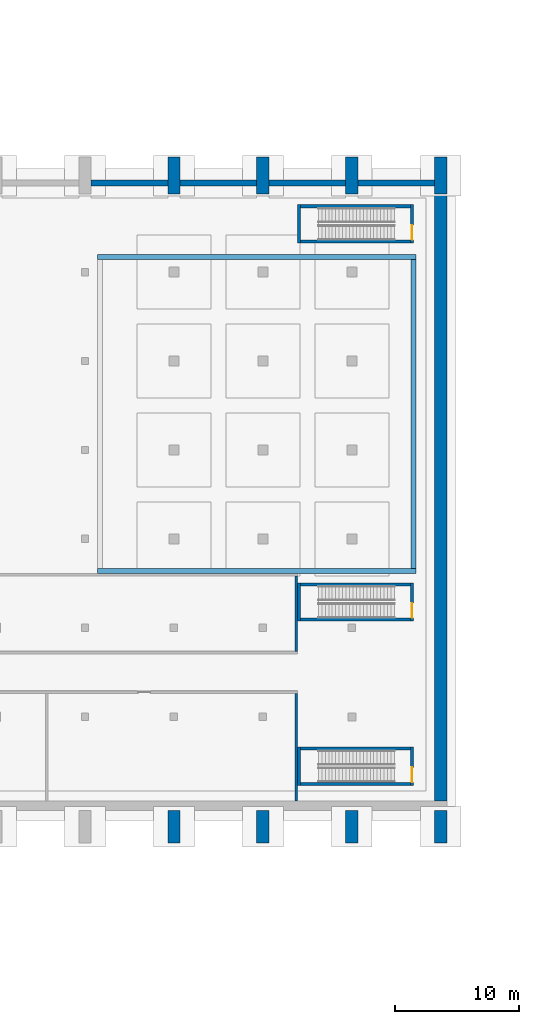
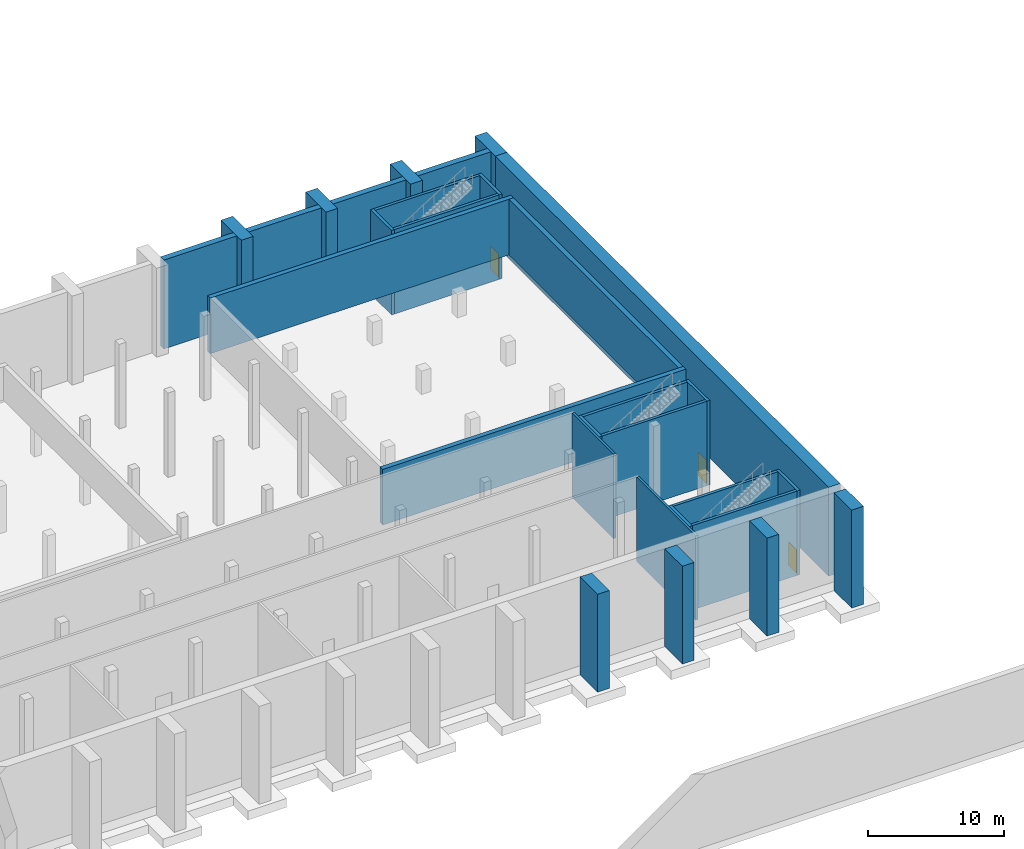
# One storey, part 11 of 14: 30 walls, 3 doors, 3 openings.
"""IFC4 building model written with IfcOpenShell, lengths in metres."""

from ifc_helpers import new_model, si_unit, direction, frame, frame_2d, origin, place, context, subcontext, project, spatial, rectangle, extrude, material, layer, layer_set, type_object, element, fill, save


model = new_model("IFC4")

# Units and contexts
model_context = context("Model", 3, precision=1e-05, world=origin(), true_north=direction((0.0, 1.0)))
body_context = subcontext(model_context, "Body", "Model", "MODEL_VIEW")
ifc_project = project(units=[si_unit("LENGTHUNIT", "METRE"), si_unit("AREAUNIT", "SQUARE_METRE"), si_unit("VOLUMEUNIT", "CUBIC_METRE"), si_unit("PLANEANGLEUNIT", "RADIAN"), si_unit("MASSUNIT", "GRAM", prefix="KILO")], contexts=[model_context])

# Site, building, storey
site_placement = place(None, origin())
site = spatial("IfcSite", under=ifc_project, at=site_placement, CompositionType="ELEMENT")
building_placement = place(site_placement, origin())
building = spatial("IfcBuilding", under=site, at=building_placement, Name="Vermilion Court Aquatics Centre", CompositionType="ELEMENT")
storey_placement = place(building_placement, frame((0.0, 0.0, -8.0)))
storey = spatial("IfcBuildingStorey", under=building, at=storey_placement, Name="B1", CompositionType="ELEMENT", Elevation=-8.0)

# Walls
ifc_material_1 = material(Name="Concrete 5000 psi", Category="concrete")
ifc_layer_1 = layer(ifc_material_1, 1.0)
ifc_layer_set_1 = layer_set([ifc_layer_1], Name="Hall basement wall 1000")
wall_type_1 = type_object("IfcWallType", Name="Hall basement wall 1000", PredefinedType="SOLIDWALL", material=ifc_layer_set_1)
wall_1_placement = place(storey_placement, frame((144.0, 14.800048828125, 0.0), z_axis=(0.0, 0.0, 1.0), x_axis=(0.0, 1.0, 0.0)))
element("IfcWall", 1, at=wall_1_placement, inside=storey, type_object=wall_type_1, Name="Basement gable wall", PredefinedType="SOLIDWALL", context=body_context, shape_type="SweptSolid", body=[
    extrude(rectangle(XDim=49.099853515625, YDim=1.0, at=frame_2d((24.5498046875, 0.0))), origin(), (0.0, 0.0, 1.0), 8.0),
])
wall_2_placement = place(storey_placement, frame((122.39990234375, 63.89990234375, -0.800048828125), z_axis=(0.0, 0.0, 1.0), x_axis=(0.0, 1.0, 0.0)))
element("IfcWall", 2, at=wall_2_placement, inside=storey, type_object=wall_type_1, Name="Buttress pier base", PredefinedType="SOLIDWALL", context=body_context, shape_type="SweptSolid", body=[
    extrude(rectangle(XDim=3.0, YDim=1.0, at=frame_2d((1.5, 0.0))), origin(), (0.0, 0.0, 1.0), 8.800048828125),
])
wall_3_placement = place(storey_placement, frame((122.39990234375, 11.39990234375, -0.800048828125), z_axis=(0.0, 0.0, 1.0), x_axis=(0.0, 1.0, 0.0)))
element("IfcWall", 3, at=wall_3_placement, inside=storey, type_object=wall_type_1, Name="Buttress pier base", PredefinedType="SOLIDWALL", context=body_context, shape_type="SweptSolid", body=[
    extrude(rectangle(XDim=2.60009765625, YDim=1.0, at=frame_2d((1.300048828125, 0.0))), origin(), (0.0, 0.0, 1.0), 8.800048828125),
])
wall_4_placement = place(storey_placement, frame((129.60009765625, 63.89990234375, -0.800048828125), z_axis=(0.0, 0.0, 1.0), x_axis=(0.0, 1.0, 0.0)))
element("IfcWall", 4, at=wall_4_placement, inside=storey, type_object=wall_type_1, Name="Buttress pier base", PredefinedType="SOLIDWALL", context=body_context, shape_type="SweptSolid", body=[
    extrude(rectangle(XDim=3.0, YDim=1.0, at=frame_2d((1.5, 0.0))), origin(), (0.0, 0.0, 1.0), 8.800048828125),
])
wall_5_placement = place(storey_placement, frame((129.60009765625, 11.39990234375, -0.800048828125), z_axis=(0.0, 0.0, 1.0), x_axis=(0.0, 1.0, 0.0)))
element("IfcWall", 5, at=wall_5_placement, inside=storey, type_object=wall_type_1, Name="Buttress pier base", PredefinedType="SOLIDWALL", context=body_context, shape_type="SweptSolid", body=[
    extrude(rectangle(XDim=2.60009765625, YDim=1.0, at=frame_2d((1.300048828125, 0.0))), origin(), (0.0, 0.0, 1.0), 8.800048828125),
])
wall_6_placement = place(storey_placement, frame((136.800048828125, 63.89990234375, -0.800048828125), z_axis=(0.0, 0.0, 1.0), x_axis=(0.0, 1.0, 0.0)))
element("IfcWall", 6, at=wall_6_placement, inside=storey, type_object=wall_type_1, Name="Buttress pier base", PredefinedType="SOLIDWALL", context=body_context, shape_type="SweptSolid", body=[
    extrude(rectangle(XDim=3.0, YDim=1.0, at=frame_2d((1.5, 0.0))), origin(), (0.0, 0.0, 1.0), 8.800048828125),
])
wall_7_placement = place(storey_placement, frame((136.800048828125, 11.39990234375, -0.800048828125), z_axis=(0.0, 0.0, 1.0), x_axis=(0.0, 1.0, 0.0)))
element("IfcWall", 7, at=wall_7_placement, inside=storey, type_object=wall_type_1, Name="Buttress pier base", PredefinedType="SOLIDWALL", context=body_context, shape_type="SweptSolid", body=[
    extrude(rectangle(XDim=2.60009765625, YDim=1.0, at=frame_2d((1.300048828125, 0.0))), origin(), (0.0, 0.0, 1.0), 8.800048828125),
])
wall_8_placement = place(storey_placement, frame((144.0, 63.89990234375, -0.800048828125), z_axis=(0.0, 0.0, 1.0), x_axis=(0.0, 1.0, 0.0)))
element("IfcWall", 8, at=wall_8_placement, inside=storey, type_object=wall_type_1, Name="Buttress pier base", PredefinedType="SOLIDWALL", context=body_context, shape_type="SweptSolid", body=[
    extrude(rectangle(XDim=3.0, YDim=1.0, at=frame_2d((1.5, 0.0))), origin(), (0.0, 0.0, 1.0), 8.800048828125),
])
wall_9_placement = place(storey_placement, frame((144.0, 11.39990234375, -0.800048828125), z_axis=(0.0, 0.0, 1.0), x_axis=(0.0, 1.0, 0.0)))
element("IfcWall", 9, at=wall_9_placement, inside=storey, type_object=wall_type_1, Name="Buttress pier base", PredefinedType="SOLIDWALL", context=body_context, shape_type="SweptSolid", body=[
    extrude(rectangle(XDim=2.60009765625, YDim=1.0, at=frame_2d((1.300048828125, 0.0))), origin(), (0.0, 0.0, 1.0), 8.800048828125),
])
ifc_material_2 = material(Name="Concrete 5000 psi", Category="concrete")
ifc_layer_2 = layer(ifc_material_2, 0.5)
ifc_layer_set_2 = layer_set([ifc_layer_2], Name="Hall basement wall 500")
wall_type_2 = type_object("IfcWallType", Name="Hall basement wall 500", PredefinedType="SOLIDWALL", material=ifc_layer_set_2)
wall_10_placement = place(storey_placement, frame((115.699951171875, 64.800048828125, 0.0), z_axis=(0.0, 0.0, 1.0), x_axis=(1.0, 0.0, 0.0)))
element("IfcWall", 10, at=wall_10_placement, inside=storey, type_object=wall_type_2, Name="Basement north wall", PredefinedType="SOLIDWALL", context=body_context, shape_type="SweptSolid", body=[
    extrude(rectangle(XDim=6.199951171875, YDim=0.5, at=frame_2d((3.10009765625, 0.0))), origin(), (0.0, 0.0, 1.0), 8.0),
])
wall_11_placement = place(storey_placement, frame((122.89990234375, 64.800048828125, 0.0), z_axis=(0.0, 0.0, 1.0), x_axis=(1.0, 0.0, 0.0)))
element("IfcWall", 11, at=wall_11_placement, inside=storey, type_object=wall_type_2, Name="Basement north wall", PredefinedType="SOLIDWALL", context=body_context, shape_type="SweptSolid", body=[
    extrude(rectangle(XDim=6.2001953125, YDim=0.5, at=frame_2d((3.10009765625, 0.0))), origin(), (0.0, 0.0, 1.0), 8.0),
])
for number, where, z_axis, x_axis, name in (
    (12, (130.10009765625, 64.800048828125, 0.0), (0.0, 0.0, 1.0), (1.0, 0.0, 0.0), "Basement north wall"),
    (13, (137.300048828125, 64.800048828125, 0.0), (0.0, 0.0, 1.0), (1.0, 0.0, 0.0), "Basement north wall"),
):
    element("IfcWall", number, at=place(storey_placement, frame(where, z_axis=z_axis, x_axis=x_axis)), inside=storey, type_object=wall_type_2, Name=name, PredefinedType="SOLIDWALL", context=body_context, shape_type="SweptSolid", body=[
        extrude(rectangle(XDim=6.199951171875, YDim=0.5, at=frame_2d((3.10009765625, 0.0))), origin(), (0.0, 0.0, 1.0), 8.0),
    ])
ifc_material_3 = material(Name="Concrete masonry ASTM C90 Type I", Category="masonry")
ifc_layer_3 = layer(ifc_material_3, 0.199951171875)
ifc_layer_set_3 = layer_set([ifc_layer_3], Name="Hall plant partition 200")
wall_type_3 = type_object("IfcWallType", Name="Hall plant partition 200", PredefinedType="PARTITIONING", material=ifc_layer_set_3)
wall_12_placement = place(storey_placement, frame((132.300048828125, 14.800048828125, 0.0), z_axis=(0.0, 0.0, 1.0), x_axis=(0.0, 1.0, 0.0)))
element("IfcWall", 14, at=wall_12_placement, inside=storey, type_object=wall_type_3, Name="Plant partition", PredefinedType="PARTITIONING", context=body_context, shape_type="SweptSolid", body=[
    extrude(rectangle(XDim=8.699951171875, YDim=0.199951171875, at=frame_2d((4.35009765625, 0.0))), origin(), (0.0, 0.0, 1.0), 7.594970703125),
])
wall_13_placement = place(storey_placement, frame((132.300048828125, 26.89990234375, 0.0), z_axis=(0.0, 0.0, 1.0), x_axis=(0.0, 1.0, 0.0)))
element("IfcWall", 15, at=wall_13_placement, inside=storey, type_object=wall_type_3, Name="Plant partition", PredefinedType="PARTITIONING", context=body_context, shape_type="SweptSolid", body=[
    extrude(rectangle(XDim=6.10009765625, YDim=0.199951171875, at=frame_2d((3.050048828125, 0.0))), origin(), (0.0, 0.0, 1.0), 7.594970703125),
])
ifc_material_4 = material(Name="Concrete 6000 psi", Category="concrete")
ifc_layer_4 = layer(ifc_material_4, 0.39990234375)
ifc_layer_set_4 = layer_set([ifc_layer_4], Name="Hall pool tank wall 400")
wall_type_4 = type_object("IfcWallType", Name="Hall pool tank wall 400", PredefinedType="SOLIDWALL", material=ifc_layer_set_4)
for number, where, z_axis, x_axis, name in (
    (16, (116.199951171875, 33.39990234375, 3.0), (0.0, 0.0, 1.0), (1.0, 0.0, 0.0), "Diving Pool tank wall"),
    (17, (116.199951171875, 58.800048828125, 3.0), (0.0, 0.0, 1.0), (1.0, 0.0, 0.0), "Diving Pool tank wall"),
):
    element("IfcWall", number, at=place(storey_placement, frame(where, z_axis=z_axis, x_axis=x_axis)), inside=storey, type_object=wall_type_4, Name=name, PredefinedType="SOLIDWALL", context=body_context, shape_type="SweptSolid", body=[
        extrude(rectangle(XDim=25.800048828125, YDim=0.39990234375, at=frame_2d((12.89990234375, 0.0))), origin(), (0.0, 0.0, 1.0), 5.0),
    ])
wall_14_placement = place(storey_placement, frame((141.800048828125, 33.60009765625, 3.0), z_axis=(0.0, 0.0, 1.0), x_axis=(0.0, 1.0, 0.0)))
element("IfcWall", 18, at=wall_14_placement, inside=storey, type_object=wall_type_4, Name="Diving Pool tank wall", PredefinedType="SOLIDWALL", context=body_context, shape_type="SweptSolid", body=[
    extrude(rectangle(XDim=25.0, YDim=0.39990234375, at=frame_2d((12.5, 0.0))), origin(), (0.0, 0.0, 1.0), 5.0),
])
ifc_material_5 = material(Name="Concrete 5000 psi", Category="concrete")
ifc_layer_5 = layer(ifc_material_5, 0.25)
ifc_layer_set_5 = layer_set([ifc_layer_5], Name="Hall stair enclosure wall 250")
wall_type_5 = type_object("IfcWallType", Name="Hall stair enclosure wall 250", PredefinedType="SOLIDWALL", material=ifc_layer_set_5)
wall_15_placement = place(storey_placement, frame((132.52490234375, 16.050048828125, 0.0), z_axis=(0.0, 0.0, 1.0), x_axis=(0.0, 1.0, 0.0)))
element("IfcWall", 19, at=wall_15_placement, inside=storey, type_object=wall_type_5, Name="Exit stair 4 enclosure wall", PredefinedType="SOLIDWALL", context=body_context, shape_type="SweptSolid", body=[
    extrude(rectangle(XDim=3.099853515625, YDim=0.25, at=frame_2d((1.5498046875, 0.0))), origin(), (0.0, 0.0, 1.0), 7.594970703125),
])

# Wall, opening, door
wall_16_placement = place(storey_placement, frame((141.675048828125, 16.050048828125, 0.0), z_axis=(0.0, 0.0, 1.0), x_axis=(0.0, 1.0, 0.0)))
wall_16 = element("IfcWall", 20, at=wall_16_placement, inside=storey, type_object=wall_type_5, Name="Exit stair 4 enclosure wall", PredefinedType="SOLIDWALL", context=body_context, shape_type="SweptSolid", body=[
    extrude(rectangle(XDim=3.099853515625, YDim=0.25, at=frame_2d((1.5498046875, 0.0))), origin(), (0.0, 0.0, 1.0), 7.594970703125),
])
opening_1_placement = place(wall_16_placement, frame((0.25, 0.0, 0.0)))
opening_1 = element("IfcOpeningElement", 21, at=opening_1_placement, cuts=wall_16, Name="Opening HB1-019", PredefinedType="OPENING", context=body_context, shape_type="SweptSolid", body=[
    extrude(rectangle(XDim=1.199951171875, YDim=2.10009765625, at=frame_2d((0.60009765625, 1.050048828125))), frame((0.0, 0.135009765625, 0.0), z_axis=(0.0, -1.0, 0.0), x_axis=(1.0, 0.0, 0.0)), (0.0, 0.0, 1.0), 0.27001953125),
])
ifc_material_6 = material(Name="Hollow metal")
door_type = type_object("IfcDoorType", Name="Hall exit stair door 1200x2100", OperationType="NOTDEFINED", PredefinedType="DOOR", material=ifc_material_6)
door_1_placement = place(opening_1_placement, origin())
door_1 = element("IfcDoor", 22, at=door_1_placement, inside=storey, type_object=door_type, Name="Door to exit stair 4", OperationType="SINGLE_SWING_LEFT", OverallHeight=2.10009765625, OverallWidth=1.199951171875, PredefinedType="DOOR", context=body_context, shape_type="SweptSolid", body=[
    extrude(rectangle(XDim=1.199951171875, YDim=2.10009765625, at=frame_2d((0.60009765625, 1.050048828125))), frame((0.0, 0.02490234375, 0.0), z_axis=(0.0, -1.0, 0.0), x_axis=(1.0, 0.0, 0.0)), (0.0, 0.0, 1.0), 0.050048828125),
])
fill(opening_1, door_1)

# Walls
for number, where, z_axis, x_axis, name in (
    (23, (132.64990234375, 16.175048828125, 0.0), (0.0, 0.0, 1.0), (1.0, 0.0, 0.0), "Exit stair 4 enclosure wall"),
    (24, (132.64990234375, 19.02490234375, 0.0), (0.0, 0.0, 1.0), (1.0, 0.0, 0.0), "Exit stair 4 enclosure wall"),
):
    element("IfcWall", number, at=place(storey_placement, frame(where, z_axis=z_axis, x_axis=x_axis)), inside=storey, type_object=wall_type_5, Name=name, PredefinedType="SOLIDWALL", context=body_context, shape_type="SweptSolid", body=[
        extrude(rectangle(XDim=8.900146484375, YDim=0.25, at=frame_2d((4.4501953125, 0.0))), origin(), (0.0, 0.0, 1.0), 7.594970703125),
    ])
wall_17_placement = place(storey_placement, frame((132.52490234375, 29.35009765625, 0.0), z_axis=(0.0, 0.0, 1.0), x_axis=(0.0, 1.0, 0.0)))
element("IfcWall", 25, at=wall_17_placement, inside=storey, type_object=wall_type_5, Name="Exit stair 5 enclosure wall", PredefinedType="SOLIDWALL", context=body_context, shape_type="SweptSolid", body=[
    extrude(rectangle(XDim=3.099853515625, YDim=0.25, at=frame_2d((1.5498046875, 0.0))), origin(), (0.0, 0.0, 1.0), 7.594970703125),
])

# Wall, opening, door
wall_18_placement = place(storey_placement, frame((141.675048828125, 29.35009765625, 0.0), z_axis=(0.0, 0.0, 1.0), x_axis=(0.0, 1.0, 0.0)))
wall_18 = element("IfcWall", 26, at=wall_18_placement, inside=storey, type_object=wall_type_5, Name="Exit stair 5 enclosure wall", PredefinedType="SOLIDWALL", context=body_context, shape_type="SweptSolid", body=[
    extrude(rectangle(XDim=3.099853515625, YDim=0.25, at=frame_2d((1.5498046875, 0.0))), origin(), (0.0, 0.0, 1.0), 7.594970703125),
])
opening_2_placement = place(wall_18_placement, frame((0.25, 0.0, 0.0)))
opening_2 = element("IfcOpeningElement", 27, at=opening_2_placement, cuts=wall_18, Name="Opening HB1-020", PredefinedType="OPENING", context=body_context, shape_type="SweptSolid", body=[
    extrude(rectangle(XDim=1.199951171875, YDim=2.10009765625, at=frame_2d((0.60009765625, 1.050048828125))), frame((0.0, 0.135009765625, 0.0), z_axis=(0.0, -1.0, 0.0), x_axis=(1.0, 0.0, 0.0)), (0.0, 0.0, 1.0), 0.27001953125),
])
door_2_placement = place(opening_2_placement, origin())
door_2 = element("IfcDoor", 28, at=door_2_placement, inside=storey, type_object=door_type, Name="Door to exit stair 5", OperationType="SINGLE_SWING_LEFT", OverallHeight=2.10009765625, OverallWidth=1.199951171875, PredefinedType="DOOR", context=body_context, shape_type="SweptSolid", body=[
    extrude(rectangle(XDim=1.199951171875, YDim=2.10009765625, at=frame_2d((0.60009765625, 1.050048828125))), frame((0.0, 0.02490234375, 0.0), z_axis=(0.0, -1.0, 0.0), x_axis=(1.0, 0.0, 0.0)), (0.0, 0.0, 1.0), 0.050048828125),
])
fill(opening_2, door_2)

# Walls
for number, where, z_axis, x_axis, name in (
    (29, (132.64990234375, 29.47509765625, 0.0), (0.0, 0.0, 1.0), (1.0, 0.0, 0.0), "Exit stair 5 enclosure wall"),
    (30, (132.64990234375, 32.324951171875, 0.0), (0.0, 0.0, 1.0), (1.0, 0.0, 0.0), "Exit stair 5 enclosure wall"),
):
    element("IfcWall", number, at=place(storey_placement, frame(where, z_axis=z_axis, x_axis=x_axis)), inside=storey, type_object=wall_type_5, Name=name, PredefinedType="SOLIDWALL", context=body_context, shape_type="SweptSolid", body=[
        extrude(rectangle(XDim=8.900146484375, YDim=0.25, at=frame_2d((4.4501953125, 0.0))), origin(), (0.0, 0.0, 1.0), 7.594970703125),
    ])
wall_19_placement = place(storey_placement, frame((132.52490234375, 59.949951171875, 0.0), z_axis=(0.0, 0.0, 1.0), x_axis=(0.0, 1.0, 0.0)))
element("IfcWall", 31, at=wall_19_placement, inside=storey, type_object=wall_type_5, Name="Exit stair 6 enclosure wall", PredefinedType="SOLIDWALL", context=body_context, shape_type="SweptSolid", body=[
    extrude(rectangle(XDim=3.10009765625, YDim=0.25, at=frame_2d((1.550048828125, 0.0))), origin(), (0.0, 0.0, 1.0), 7.594970703125),
])

# Wall, opening, door
wall_20_placement = place(storey_placement, frame((141.675048828125, 59.949951171875, 0.0), z_axis=(0.0, 0.0, 1.0), x_axis=(0.0, 1.0, 0.0)))
wall_20 = element("IfcWall", 32, at=wall_20_placement, inside=storey, type_object=wall_type_5, Name="Exit stair 6 enclosure wall", PredefinedType="SOLIDWALL", context=body_context, shape_type="SweptSolid", body=[
    extrude(rectangle(XDim=3.10009765625, YDim=0.25, at=frame_2d((1.550048828125, 0.0))), origin(), (0.0, 0.0, 1.0), 7.594970703125),
])
opening_3_placement = place(wall_20_placement, frame((0.25, 0.0, 0.0)))
opening_3 = element("IfcOpeningElement", 33, at=opening_3_placement, cuts=wall_20, Name="Opening HB1-021", PredefinedType="OPENING", context=body_context, shape_type="SweptSolid", body=[
    extrude(rectangle(XDim=1.199951171875, YDim=2.10009765625, at=frame_2d((0.60009765625, 1.050048828125))), frame((0.0, 0.135009765625, 0.0), z_axis=(0.0, -1.0, 0.0), x_axis=(1.0, 0.0, 0.0)), (0.0, 0.0, 1.0), 0.27001953125),
])
door_3_placement = place(opening_3_placement, origin())
door_3 = element("IfcDoor", 34, at=door_3_placement, inside=storey, type_object=door_type, Name="Door to exit stair 6", OperationType="SINGLE_SWING_LEFT", OverallHeight=2.10009765625, OverallWidth=1.199951171875, PredefinedType="DOOR", context=body_context, shape_type="SweptSolid", body=[
    extrude(rectangle(XDim=1.199951171875, YDim=2.10009765625, at=frame_2d((0.60009765625, 1.050048828125))), frame((0.0, 0.02490234375, 0.0), z_axis=(0.0, -1.0, 0.0), x_axis=(1.0, 0.0, 0.0)), (0.0, 0.0, 1.0), 0.050048828125),
])
fill(opening_3, door_3)

# Walls
for number, where, z_axis, x_axis, name in (
    (35, (132.64990234375, 60.074951171875, 0.0), (0.0, 0.0, 1.0), (1.0, 0.0, 0.0), "Exit stair 6 enclosure wall"),
    (36, (132.64990234375, 62.925048828125, 0.0), (0.0, 0.0, 1.0), (1.0, 0.0, 0.0), "Exit stair 6 enclosure wall"),
):
    element("IfcWall", number, at=place(storey_placement, frame(where, z_axis=z_axis, x_axis=x_axis)), inside=storey, type_object=wall_type_5, Name=name, PredefinedType="SOLIDWALL", context=body_context, shape_type="SweptSolid", body=[
        extrude(rectangle(XDim=8.900146484375, YDim=0.25, at=frame_2d((4.4501953125, 0.0))), origin(), (0.0, 0.0, 1.0), 7.594970703125),
    ])

save(model, "model.ifc")
